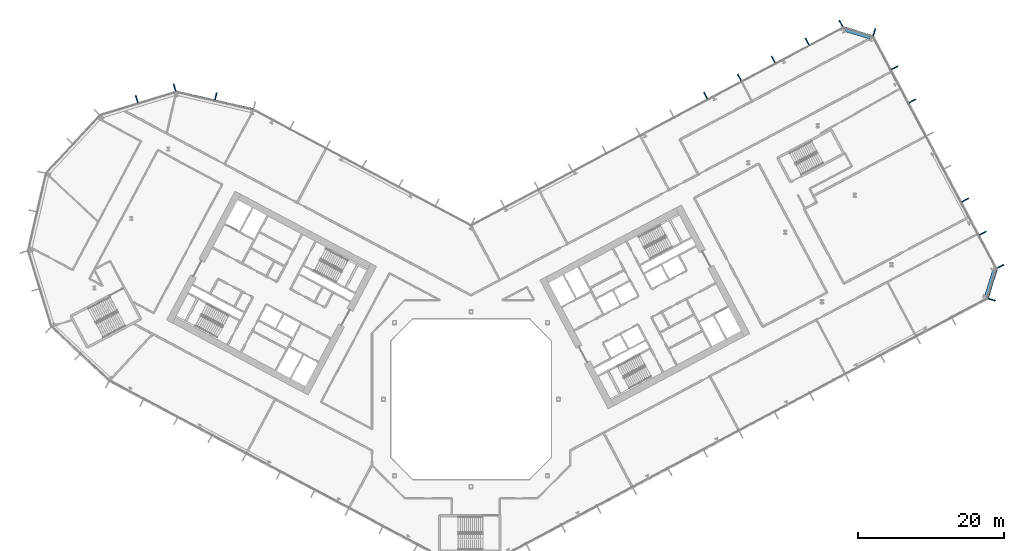
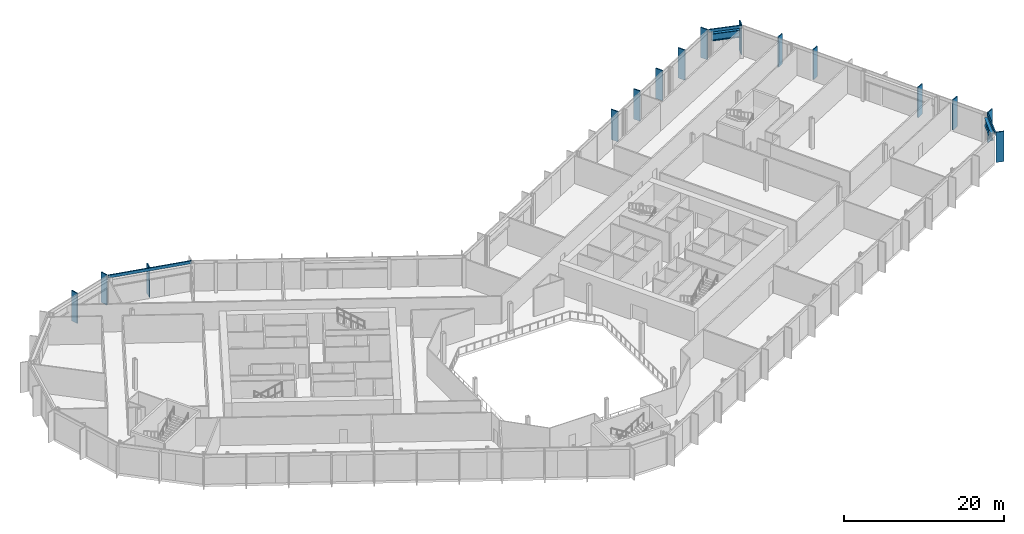
# One storey, part 9 of 31: 18 members, 2 beams, 6 elements without a shape of their own.
"""IFC4 building model written with IfcOpenShell, lengths in metres."""

from ifc_helpers import new_model, si_unit, direction, frame, origin, origin_2d, place, context, subcontext, project, spatial, rectangle, i_section, extrude, material, layer, layer_set, material_profile, profile_set, type_object, element, aggregate, save


model = new_model("IFC4")

# Units and contexts
model_context = context("Model", 3, precision=1e-05, world=origin(), true_north=direction((0.0, 1.0)))
body_context = subcontext(model_context, "Body", "Model", "MODEL_VIEW")
ifc_project = project(units=[si_unit("LENGTHUNIT", "METRE"), si_unit("AREAUNIT", "SQUARE_METRE"), si_unit("VOLUMEUNIT", "CUBIC_METRE"), si_unit("PLANEANGLEUNIT", "RADIAN"), si_unit("MASSUNIT", "GRAM", prefix="KILO")], contexts=[model_context])

# Site, building, storey
site_placement = place(None, origin())
site = spatial("IfcSite", under=ifc_project, at=site_placement, CompositionType="ELEMENT")
building_placement = place(site_placement, origin())
building = spatial("IfcBuilding", under=site, at=building_placement, Name="Cormorant Relay Tower", CompositionType="ELEMENT")
storey_placement = place(building_placement, frame((0.0, 0.0, 103.0)))
storey = spatial("IfcBuildingStorey", under=building, at=storey_placement, Name="L20", CompositionType="ELEMENT", Elevation=103.0)

# Curtain wall, member
ifc_material_1 = material(Name="Aluminium 6063-T6 anodised bronze", Category="aluminium")
ifc_layer = layer(ifc_material_1, 0.199951171875)
ifc_layer_set = layer_set([ifc_layer], Name="CW1 unitised bronze curtain wall with vertical fins")
curtain_wall_type = type_object("IfcCurtainWallType", Name="CW1 unitised bronze curtain wall with vertical fins", PredefinedType="NOTDEFINED", material=ifc_layer_set)
curtain_wall_1_placement = place(storey_placement, origin())
curtain_wall_1 = element("IfcCurtainWall", 1, at=curtain_wall_1_placement, inside=storey, type_object=curtain_wall_type, Name="CW1 curtain wall 3", PredefinedType="NOTDEFINED")
ifc_material_2 = material(Name="Aluminium 6063-T6 anodised bronze", Category="aluminium")
ifc_material_profile_1 = material_profile(ifc_material_2, rectangle(XDim=0.14990234375, YDim=1.0, at=origin_2d()), Name="AL 150x1000")
ifc_profile_set_1 = profile_set([ifc_material_profile_1], Name="Aluminium 6063-T6 anodised bronze")
member_type_1 = type_object("IfcMemberType", Name="CW1 bronze fin mullion 150 x 1000", PredefinedType="MULLION", material=ifc_profile_set_1)
member_1_placement = place(storey_placement, frame((71.45166015625, 13.64697265625, 0.0), z_axis=(0.0, 0.0, 1.0), x_axis=(0.292371704723, 0.956304755963, 0.0)))
member_1 = element("IfcMember", 2, at=member_1_placement, type_object=member_type_1, Name="CW1 fin 3.1", PredefinedType="MULLION", context=body_context, shape_type="SweptSolid", body=[
    extrude(rectangle(XDim=0.14990234375, YDim=1.0, at=origin_2d()), origin(), (0.0, 0.0, 1.0), 4.60009765625),
])

# Curtain wall, members
curtain_wall_2_placement = place(storey_placement, origin())
curtain_wall_2 = element("IfcCurtainWall", 3, at=curtain_wall_2_placement, inside=storey, type_object=curtain_wall_type, Name="CW1 curtain wall 4", PredefinedType="NOTDEFINED")
member_2_placement = place(storey_placement, frame((72.640869140625, 18.237548828125, 0.0), z_axis=(0.0, 0.0, 1.0), x_axis=(-0.469471562786, 0.882947592859, 0.0)))
member_2 = element("IfcMember", 4, at=member_2_placement, type_object=member_type_1, Name="CW1 fin 4.1", PredefinedType="MULLION", context=body_context, shape_type="SweptSolid", body=[
    extrude(rectangle(XDim=0.14990234375, YDim=1.0, at=origin_2d()), origin(), (0.0, 0.0, 1.0), 4.60009765625),
])
member_3_placement = place(storey_placement, frame((70.226318359375, 22.7783203125, 0.0), z_axis=(0.0, 0.0, 1.0), x_axis=(-0.469471562786, 0.882947592859, 0.0)))
member_3 = element("IfcMember", 5, at=member_3_placement, type_object=member_type_1, Name="CW1 fin 4.2", PredefinedType="MULLION", context=body_context, shape_type="SweptSolid", body=[
    extrude(rectangle(XDim=0.14990234375, YDim=1.0, at=origin_2d()), origin(), (0.0, 0.0, 1.0), 4.60009765625),
])
member_4_placement = place(storey_placement, frame((67.81201171875, 27.3193359375, 0.0), z_axis=(0.0, 0.0, 1.0), x_axis=(-0.469471562786, 0.882947592859, 0.0)))
member_4 = element("IfcMember", 6, at=member_4_placement, type_object=member_type_1, Name="CW1 fin 4.3", PredefinedType="MULLION", context=body_context, shape_type="SweptSolid", body=[
    extrude(rectangle(XDim=0.14990234375, YDim=1.0, at=origin_2d()), origin(), (0.0, 0.0, 1.0), 4.60009765625),
])
member_5_placement = place(storey_placement, frame((60.568603515625, 40.94189453125, 0.0), z_axis=(0.0, 0.0, 1.0), x_axis=(-0.469471562786, 0.882947592859, 0.0)))
member_5 = element("IfcMember", 7, at=member_5_placement, type_object=member_type_1, Name="CW1 fin 4.6", PredefinedType="MULLION", context=body_context, shape_type="SweptSolid", body=[
    extrude(rectangle(XDim=0.14990234375, YDim=1.0, at=origin_2d()), origin(), (0.0, 0.0, 1.0), 4.60009765625),
])
member_6_placement = place(storey_placement, frame((58.154296875, 45.48291015625, 0.0), z_axis=(0.0, 0.0, 1.0), x_axis=(-0.469471562786, 0.882947592859, 0.0)))
member_6 = element("IfcMember", 8, at=member_6_placement, type_object=member_type_1, Name="CW1 fin 4.7", PredefinedType="MULLION", context=body_context, shape_type="SweptSolid", body=[
    extrude(rectangle(XDim=0.14990234375, YDim=1.0, at=origin_2d()), origin(), (0.0, 0.0, 1.0), 4.60009765625),
])
aggregate(curtain_wall_2, [member_2, member_3, member_4, member_5, member_6])

# Curtain wall, member
curtain_wall_3_placement = place(storey_placement, origin())
curtain_wall_3 = element("IfcCurtainWall", 9, at=curtain_wall_3_placement, inside=storey, type_object=curtain_wall_type, Name="CW1 curtain wall 5", PredefinedType="NOTDEFINED")
member_7_placement = place(storey_placement, frame((55.326416015625, 50.364501953125, 0.0), z_axis=(0.0, 0.0, 1.0), x_axis=(-0.956304755963, 0.292371704723, 0.0)))
member_7 = element("IfcMember", 10, at=member_7_placement, type_object=member_type_1, Name="CW1 fin 5.1", PredefinedType="MULLION", context=body_context, shape_type="SweptSolid", body=[
    extrude(rectangle(XDim=0.14990234375, YDim=1.0, at=origin_2d()), origin(), (0.0, 0.0, 1.0), 4.60009765625),
])

# Curtain wall, members
curtain_wall_4_placement = place(storey_placement, origin())
curtain_wall_4 = element("IfcCurtainWall", 11, at=curtain_wall_4_placement, inside=storey, type_object=curtain_wall_type, Name="CW1 curtain wall 6", PredefinedType="NOTDEFINED")
member_8_placement = place(storey_placement, frame((50.73583984375, 51.553466796875, 0.0), z_axis=(0.0, 0.0, 1.0), x_axis=(-0.882947592859, -0.469471562786, 0.0)))
member_8 = element("IfcMember", 12, at=member_8_placement, type_object=member_type_1, Name="CW1 fin 6.1", PredefinedType="MULLION", context=body_context, shape_type="SweptSolid", body=[
    extrude(rectangle(XDim=0.14990234375, YDim=1.0, at=origin_2d()), origin(), (0.0, 0.0, 1.0), 4.60009765625),
])
member_9_placement = place(storey_placement, frame((46.093505859375, 49.085205078125, 0.0), z_axis=(0.0, 0.0, 1.0), x_axis=(-0.882947592859, -0.469471562786, 0.0)))
member_9 = element("IfcMember", 13, at=member_9_placement, type_object=member_type_1, Name="CW1 fin 6.2", PredefinedType="MULLION", context=body_context, shape_type="SweptSolid", body=[
    extrude(rectangle(XDim=0.14990234375, YDim=1.0, at=origin_2d()), origin(), (0.0, 0.0, 1.0), 4.60009765625),
])
member_10_placement = place(storey_placement, frame((41.451416015625, 46.616943359375, 0.0), z_axis=(0.0, 0.0, 1.0), x_axis=(-0.882947592859, -0.469471562786, 0.0)))
member_10 = element("IfcMember", 14, at=member_10_placement, type_object=member_type_1, Name="CW1 fin 6.3", PredefinedType="MULLION", context=body_context, shape_type="SweptSolid", body=[
    extrude(rectangle(XDim=0.14990234375, YDim=1.0, at=origin_2d()), origin(), (0.0, 0.0, 1.0), 4.60009765625),
])
member_11_placement = place(storey_placement, frame((36.80908203125, 44.148681640625, 0.0), z_axis=(0.0, 0.0, 1.0), x_axis=(-0.882947592859, -0.469471562786, 0.0)))
member_11 = element("IfcMember", 15, at=member_11_placement, type_object=member_type_1, Name="CW1 fin 6.4", PredefinedType="MULLION", context=body_context, shape_type="SweptSolid", body=[
    extrude(rectangle(XDim=0.14990234375, YDim=1.0, at=origin_2d()), origin(), (0.0, 0.0, 1.0), 4.60009765625),
])
member_12_placement = place(storey_placement, frame((32.1669921875, 41.68017578125, 0.0), z_axis=(0.0, 0.0, 1.0), x_axis=(-0.882947592859, -0.469471562786, 0.0)))
member_12 = element("IfcMember", 16, at=member_12_placement, type_object=member_type_1, Name="CW1 fin 6.5", PredefinedType="MULLION", context=body_context, shape_type="SweptSolid", body=[
    extrude(rectangle(XDim=0.14990234375, YDim=1.0, at=origin_2d()), origin(), (0.0, 0.0, 1.0), 4.60009765625),
])
aggregate(curtain_wall_4, [member_8, member_9, member_10, member_11, member_12])

# Curtain wall, member
curtain_wall_5_placement = place(storey_placement, origin())
curtain_wall_5 = element("IfcCurtainWall", 17, at=curtain_wall_5_placement, inside=storey, type_object=curtain_wall_type, Name="CW1 curtain wall 8", PredefinedType="NOTDEFINED")
member_13_placement = place(storey_placement, frame((-35.01220703125, 41.57275390625, 0.0), z_axis=(0.0, 0.0, 1.0), x_axis=(-0.974370064785, 0.224951054344, 0.0)))
member_13 = element("IfcMember", 18, at=member_13_placement, type_object=member_type_1, Name="CW1 fin 8.2", PredefinedType="MULLION", context=body_context, shape_type="SweptSolid", body=[
    extrude(rectangle(XDim=0.14990234375, YDim=1.0, at=origin_2d()), origin(), (0.0, 0.0, 1.0), 4.60009765625),
])

# Curtain wall, members
curtain_wall_6_placement = place(storey_placement, origin())
curtain_wall_6 = element("IfcCurtainWall", 19, at=curtain_wall_6_placement, inside=storey, type_object=curtain_wall_type, Name="CW1 curtain wall 9", PredefinedType="NOTDEFINED")
member_14_placement = place(storey_placement, frame((-40.670166015625, 42.78271484375, 0.0), z_axis=(0.0, 0.0, 1.0), x_axis=(-0.956304755963, -0.292371704723, 0.0)))
member_14 = element("IfcMember", 20, at=member_14_placement, type_object=member_type_1, Name="CW1 fin 9.1", PredefinedType="MULLION", context=body_context, shape_type="SweptSolid", body=[
    extrude(rectangle(XDim=0.14990234375, YDim=1.0, at=origin_2d()), origin(), (0.0, 0.0, 1.0), 4.60009765625),
])
member_15_placement = place(storey_placement, frame((-45.867919921875, 41.193603515625, 0.0), z_axis=(0.0, 0.0, 1.0), x_axis=(-0.956304755963, -0.292371704723, 0.0)))
member_15 = element("IfcMember", 21, at=member_15_placement, type_object=member_type_1, Name="CW1 fin 9.2", PredefinedType="MULLION", context=body_context, shape_type="SweptSolid", body=[
    extrude(rectangle(XDim=0.14990234375, YDim=1.0, at=origin_2d()), origin(), (0.0, 0.0, 1.0), 4.60009765625),
])
aggregate(curtain_wall_6, [member_14, member_15])

# Member
ifc_material_3 = material(Name="Aluminium 6063-T6 anodised bronze", Category="aluminium")
ifc_material_profile_2 = material_profile(ifc_material_3, rectangle(XDim=0.159912109375, YDim=0.449951171875, at=origin_2d()), Name="AL 160x450")
ifc_profile_set_2 = profile_set([ifc_material_profile_2], Name="Aluminium 6063-T6 anodised bronze")
member_type_2 = type_object("IfcMemberType", Name="CW1 bronze transom 160 x 450", PredefinedType="USERDEFINED", material=ifc_profile_set_2)
member_16_placement = place(storey_placement, frame((70.89697265625, 13.816650390625, 4.375), z_axis=(0.292391046905, 0.95629884225, 0.0), x_axis=(-0.95629884225, 0.292391046905, 0.0)))
member_16 = element("IfcMember", 22, at=member_16_placement, type_object=member_type_2, Name="CW1 transom 3", ObjectType="TRANSOM", PredefinedType="USERDEFINED", context=body_context, shape_type="SweptSolid", body=[
    extrude(rectangle(XDim=0.159912109375, YDim=0.449951171875, at=origin_2d()), origin(), (0.0, 0.0, 1.0), 4.242431640625),
])

aggregate(curtain_wall_1, [member_1, member_16])

member_17_placement = place(storey_placement, frame((55.15673828125, 49.809814453125, 4.375), z_axis=(-0.95629884225, 0.292391046905, 0.0), x_axis=(-0.292391046905, -0.95629884225, 0.0)))
member_17 = element("IfcMember", 23, at=member_17_placement, type_object=member_type_2, Name="CW1 transom 5", ObjectType="TRANSOM", PredefinedType="USERDEFINED", context=body_context, shape_type="SweptSolid", body=[
    extrude(rectangle(XDim=0.159912109375, YDim=0.449951171875, at=origin_2d()), origin(), (0.0, 0.0, 1.0), 4.242431640625),
])

aggregate(curtain_wall_3, [member_7, member_17])

member_18_placement = place(storey_placement, frame((-29.8466796875, 39.784912109375, 4.375), z_axis=(-0.974365070969, 0.224972683844, 0.0), x_axis=(-0.224972683844, -0.974365070969, 0.0)))
member_18 = element("IfcMember", 24, at=member_18_placement, type_object=member_type_2, Name="CW1 transom 8", ObjectType="TRANSOM", PredefinedType="USERDEFINED", context=body_context, shape_type="SweptSolid", body=[
    extrude(rectangle(XDim=0.159912109375, YDim=0.449951171875, at=origin_2d()), origin(), (0.0, 0.0, 1.0), 10.870361328125),
])

aggregate(curtain_wall_5, [member_13, member_18])

# Beams
ifc_material_4 = material(Name="Steel ASTM A992 (Fy 345 MPa)", Category="steel")
ifc_material_profile_3 = material_profile(ifc_material_4, i_section(OverallWidth=0.40380859375, OverallDepth=1.11767578125, WebThickness=0.026123046875, FlangeThickness=0.044921875, FilletRadius=0.02001953125, at=origin_2d()), Name="W1100x499")
ifc_profile_set_3 = profile_set([ifc_material_profile_3], Name="Steel ASTM A992 (Fy 345 MPa)")
beam_type = type_object("IfcBeamType", Name="Spandrel W1100x499", PredefinedType="SPANDREL", material=ifc_profile_set_3)
for number, where, z_axis, x_axis, name in (
    (25, (70.6943359375, 14.255126953125, 3.64111328125), (0.292423449705, 0.956288934403, 0.0), (-0.956288934403, 0.292423449705, 0.0), "Spandrel beam L20-003"),
    (26, (54.718017578125, 49.607421875, 3.64111328125), (-0.956308047674, 0.292360937806, 0.0), (-0.292360937806, -0.956308047674, 0.0), "Spandrel beam L20-005"),
):
    element("IfcBeam", number, at=place(storey_placement, frame(where, z_axis=z_axis, x_axis=x_axis)), inside=storey, type_object=beam_type, Name=name, PredefinedType="SPANDREL", context=body_context, shape_type="SweptSolid", body=[
        extrude(i_section(OverallWidth=0.40380859375, OverallDepth=1.11767578125, WebThickness=0.026123046875, FlangeThickness=0.044921875, FilletRadius=0.02001953125, at=origin_2d()), origin(), (0.0, 0.0, 1.0), 3.571533203125),
    ])

save(model, "model.ifc")
